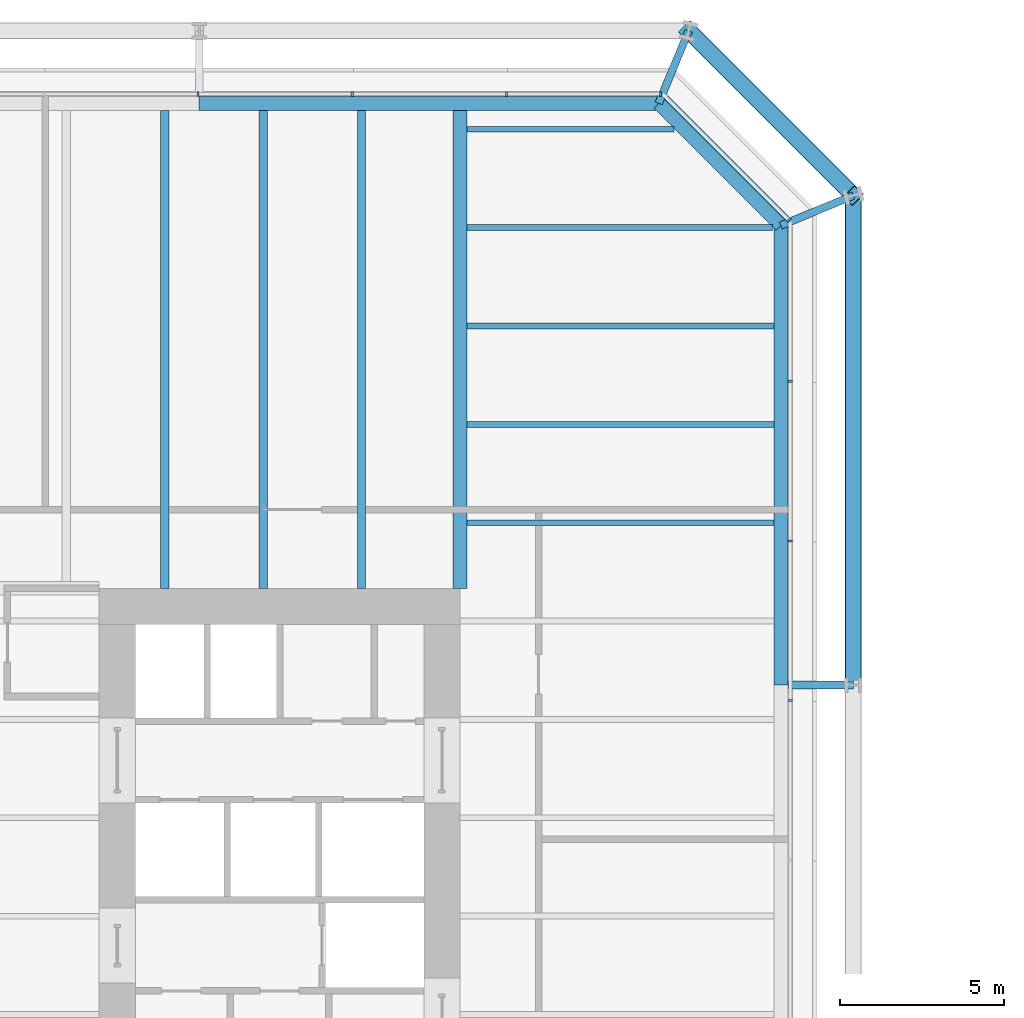
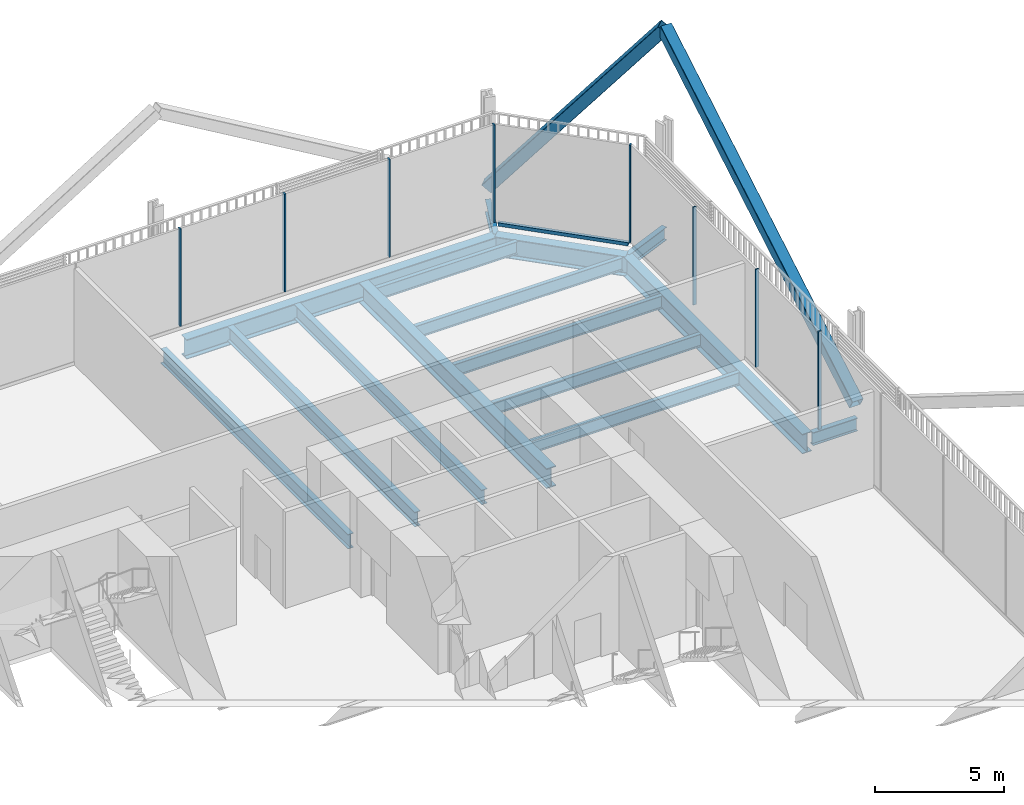
# One storey, part 17 of 26: 15 beams, 11 members, 3 elements without a shape of their own.
"""IFC4 building model written with IfcOpenShell, lengths in metres."""

from ifc_helpers import new_model, si_unit, direction, frame, origin, origin_2d, place, context, subcontext, project, spatial, rectangle, hollow_rectangle, i_section, extrude, material, layer, layer_set, material_profile, profile_set, type_object, element, aggregate, save


model = new_model("IFC4")

# Units and contexts
model_context = context("Model", 3, precision=1e-05, world=origin(), true_north=direction((0.0, 1.0)))
body_context = subcontext(model_context, "Body", "Model", "MODEL_VIEW")
ifc_project = project(units=[si_unit("LENGTHUNIT", "METRE"), si_unit("AREAUNIT", "SQUARE_METRE"), si_unit("VOLUMEUNIT", "CUBIC_METRE"), si_unit("PLANEANGLEUNIT", "RADIAN"), si_unit("MASSUNIT", "GRAM", prefix="KILO")], contexts=[model_context])

# Site, building, storey
site_placement = place(None, origin())
site = spatial("IfcSite", under=ifc_project, at=site_placement, CompositionType="ELEMENT")
building_placement = place(site_placement, origin())
building = spatial("IfcBuilding", under=site, at=building_placement, Name="Millrace Tower", CompositionType="ELEMENT")
storey_placement = place(building_placement, frame((0.0, 0.0, 11.300048828125)))
storey = spatial("IfcBuildingStorey", under=building, at=storey_placement, Name="L03", CompositionType="ELEMENT", Elevation=11.300048828125)

# Curtain wall, members
ifc_material_1 = material(Name="Aluminium and glass", Category="aluminium")
ifc_layer = layer(ifc_material_1, 0.14990234375)
ifc_layer_set = layer_set([ifc_layer], Name="Aluminium and glass")
curtain_wall_type = type_object("IfcCurtainWallType", Name="CW-2 data hall insulated curtain wall", PredefinedType="NOTDEFINED", material=ifc_layer_set)
placement = place(storey_placement, origin())
curtain_wall_1 = element("IfcCurtainWall", 1, at=placement, inside=storey, type_object=curtain_wall_type, Name="Curtain wall AW3-F02 L03 CW2", PredefinedType="NOTDEFINED")
ifc_material_2 = material(Name="Aluminium", Category="aluminium")
ifc_material_profile_1 = material_profile(ifc_material_2, rectangle(XDim=0.06494140625, YDim=0.14990234375, at=origin_2d()))
ifc_profile_set_1 = profile_set([ifc_material_profile_1], Name="Aluminium")
member_type_1 = type_object("IfcMemberType", Name="CW-2 data hall insulated curtain wall mullion", PredefinedType="MULLION", material=ifc_profile_set_1)
member_1_placement = place(storey_placement, frame((25.074951171875, 6.577880859375, 0.159912109375), z_axis=(0.0, 0.0, 1.0), x_axis=(0.0, 1.0, 0.0)))
member_1 = element("IfcMember", 2, at=member_1_placement, type_object=member_type_1, Name="CW2 mullion AW3-F02.9", PredefinedType="MULLION", context=body_context, shape_type="SweptSolid", body=[
    extrude(rectangle(XDim=0.06494140625, YDim=0.14990234375, at=origin_2d()), origin(), (0.0, 0.0, 1.0), 4.64013671875),
])
member_2_placement = place(storey_placement, frame((25.074951171875, 11.446044921875, 0.159912109375), z_axis=(0.0, 0.0, 1.0), x_axis=(0.0, 1.0, 0.0)))
member_2 = element("IfcMember", 3, at=member_2_placement, type_object=member_type_1, Name="CW2 mullion AW3-F02.10", PredefinedType="MULLION", context=body_context, shape_type="SweptSolid", body=[
    extrude(rectangle(XDim=0.06494140625, YDim=0.14990234375, at=origin_2d()), origin(), (0.0, 0.0, 1.0), 4.64013671875),
])
member_3_placement = place(storey_placement, frame((25.074951171875, 16.314208984375, 0.159912109375), z_axis=(0.0, 0.0, 1.0), x_axis=(0.0, 1.0, 0.0)))
member_3 = element("IfcMember", 4, at=member_3_placement, type_object=member_type_1, Name="CW2 mullion AW3-F02.11", PredefinedType="MULLION", context=body_context, shape_type="SweptSolid", body=[
    extrude(rectangle(XDim=0.06494140625, YDim=0.14990234375, at=origin_2d()), origin(), (0.0, 0.0, 1.0), 4.64013671875),
])
aggregate(curtain_wall_1, [member_1, member_2, member_3])

# Curtain wall, member
curtain_wall_2 = element("IfcCurtainWall", 5, at=placement, inside=storey, type_object=curtain_wall_type, Name="Curtain wall AW3-F03 L03", PredefinedType="NOTDEFINED")
member_4_placement = place(storey_placement, frame((25.030029296875, 21.22607421875, 0.159912109375), z_axis=(0.0, 0.0, 1.0), x_axis=(-0.707106781187, 0.707106781187, 0.0)))
member_4 = element("IfcMember", 6, at=member_4_placement, type_object=member_type_1, Name="CW2 mullion AW3-F03.1", PredefinedType="MULLION", context=body_context, shape_type="SweptSolid", body=[
    extrude(rectangle(XDim=0.06494140625, YDim=0.14990234375, at=origin_2d()), origin(), (0.0, 0.0, 1.0), 4.64013671875),
])

# Curtain wall, members
curtain_wall_3 = element("IfcCurtainWall", 7, at=placement, inside=storey, type_object=curtain_wall_type, Name="Curtain wall AW3-F04 L03", PredefinedType="NOTDEFINED")
member_5_placement = place(storey_placement, frame((21.117431640625, 25.074951171875, 0.159912109375), z_axis=(0.0, 0.0, 1.0), x_axis=(-1.0, 0.0, 0.0)))
member_5 = element("IfcMember", 8, at=member_5_placement, type_object=member_type_1, Name="CW2 mullion AW3-F04.1", PredefinedType="MULLION", context=body_context, shape_type="SweptSolid", body=[
    extrude(rectangle(XDim=0.06494140625, YDim=0.14990234375, at=origin_2d()), origin(), (0.0, 0.0, 1.0), 4.64013671875),
])
member_6_placement = place(storey_placement, frame((16.41748046875, 25.074951171875, 0.159912109375), z_axis=(0.0, 0.0, 1.0), x_axis=(-1.0, 0.0, 0.0)))
member_6 = element("IfcMember", 9, at=member_6_placement, type_object=member_type_1, Name="CW2 mullion AW3-F04.2", PredefinedType="MULLION", context=body_context, shape_type="SweptSolid", body=[
    extrude(rectangle(XDim=0.06494140625, YDim=0.14990234375, at=origin_2d()), origin(), (0.0, 0.0, 1.0), 4.64013671875),
])
member_7_placement = place(storey_placement, frame((11.717529296875, 25.074951171875, 0.159912109375), z_axis=(0.0, 0.0, 1.0), x_axis=(-1.0, 0.0, 0.0)))
member_7 = element("IfcMember", 10, at=member_7_placement, type_object=member_type_1, Name="CW2 mullion AW3-F04.3", PredefinedType="MULLION", context=body_context, shape_type="SweptSolid", body=[
    extrude(rectangle(XDim=0.06494140625, YDim=0.14990234375, at=origin_2d()), origin(), (0.0, 0.0, 1.0), 4.64013671875),
])
member_8_placement = place(storey_placement, frame((7.017578125, 25.074951171875, 0.159912109375), z_axis=(0.0, 0.0, 1.0), x_axis=(-1.0, 0.0, 0.0)))
member_8 = element("IfcMember", 11, at=member_8_placement, type_object=member_type_1, Name="CW2 mullion AW3-F04.4", PredefinedType="MULLION", context=body_context, shape_type="SweptSolid", body=[
    extrude(rectangle(XDim=0.06494140625, YDim=0.14990234375, at=origin_2d()), origin(), (0.0, 0.0, 1.0), 4.64013671875),
])
aggregate(curtain_wall_3, [member_5, member_6, member_7, member_8])

# Member
ifc_material_3 = material(Name="Aluminium", Category="aluminium")
ifc_material_profile_2 = material_profile(ifc_material_3, rectangle(XDim=0.14990234375, YDim=0.159912109375, at=origin_2d()))
ifc_profile_set_2 = profile_set([ifc_material_profile_2], Name="Aluminium")
member_type_2 = type_object("IfcMemberType", Name="CW-2 data hall insulated curtain wall transom", PredefinedType="USERDEFINED", material=ifc_profile_set_2)
member_9_placement = place(storey_placement, frame((24.982421875, 21.273681640625, 0.079833984375), z_axis=(-0.707106781187, 0.707106781187, 0.0), x_axis=(-0.707106781187, -0.707106781187, 0.0)))
member_9 = element("IfcMember", 12, at=member_9_placement, type_object=member_type_2, Name="CW2 transom AW3-F03.1", ObjectType="TRANSOM", PredefinedType="USERDEFINED", context=body_context, shape_type="SweptSolid", body=[
    extrude(rectangle(XDim=0.14990234375, YDim=0.159912109375, at=origin_2d()), origin(), (0.0, 0.0, 1.0), 5.244873046875),
])

aggregate(curtain_wall_2, [member_4, member_9])

# Members
ifc_material_4 = material(Name="Steel ASTM A500 Grade C", Category="steel")
ifc_material_profile_3 = material_profile(ifc_material_4, hollow_rectangle(XDim=0.508056640625, YDim=0.508056640625, WallThickness=0.022216796875, InnerFilletRadius=0.01123046875, OuterFilletRadius=0.033447265625, at=origin_2d()))
ifc_profile_set_3 = profile_set([ifc_material_profile_3], Name="Steel ASTM A500 Grade C")
member_type_3 = type_object("IfcMemberType", Name="Exoskeleton brace HSS20x20x7/8", PredefinedType="BRACE", material=ifc_profile_set_3)
member_10_placement = place(storey_placement, frame((27.0, 7.050048828125, 0.39990234375), z_axis=(0.0, 0.861464835883, 0.507817227491), x_axis=(-1.0, 0.0, 0.0)))
element("IfcMember", 13, at=member_10_placement, inside=storey, type_object=member_type_3, Name="BRC-A-L03-08", PredefinedType="BRACE", context=body_context, shape_type="SweptSolid", body=[
    extrude(hollow_rectangle(XDim=0.508056640625, YDim=0.508056640625, WallThickness=0.022216796875, InnerFilletRadius=0.01123046875, OuterFilletRadius=0.033447265625, at=origin_2d()), origin(), (0.0, 0.0, 1.0), 17.3291015625),
])
member_11_placement = place(storey_placement, frame((21.978515625, 27.0, 0.39990234375), z_axis=(0.444063713793, -0.444063713793, 0.77821259061), x_axis=(0.707106781187, 0.707106781187, 0.0)))
element("IfcMember", 14, at=member_11_placement, inside=storey, type_object=member_type_3, Name="BRC-A-L03-09", PredefinedType="BRACE", context=body_context, shape_type="SweptSolid", body=[
    extrude(hollow_rectangle(XDim=0.508056640625, YDim=0.508056640625, WallThickness=0.022216796875, InnerFilletRadius=0.01123046875, OuterFilletRadius=0.033447265625, at=origin_2d()), origin(), (0.0, 0.0, 1.0), 11.30810546875),
])

# Beams
ifc_material_5 = material(Name="Steel ASTM A992 Grade 50", Category="steel")
ifc_material_profile_4 = material_profile(ifc_material_5, i_section(OverallWidth=0.177978515625, OverallDepth=0.599365234375, WebThickness=0.010009765625, FlangeThickness=0.012939453125, FilletRadius=0.012939453125, at=origin_2d()))
ifc_profile_set_4 = profile_set([ifc_material_profile_4], Name="Steel ASTM A992 Grade 50")
beam_type_1 = type_object("IfcBeamType", Name="Floor beam W24x55", PredefinedType="JOIST", material=ifc_profile_set_4)
beam_1_placement = place(storey_placement, frame((15.212158203125, 24.0, -0.524658203125), z_axis=(1.0, 0.0, 0.0), x_axis=(0.0, 1.0, 0.0)))
element("IfcBeam", 15, at=beam_1_placement, inside=storey, type_object=beam_type_1, Name="BM-A-L03-S1-S047", PredefinedType="JOIST", context=body_context, shape_type="SweptSolid", body=[
    extrude(i_section(OverallWidth=0.177978515625, OverallDepth=0.599365234375, WebThickness=0.010009765625, FlangeThickness=0.012939453125, FilletRadius=0.012939453125, at=origin_2d()), origin(), (0.0, 0.0, 1.0), 6.317626953125),
])
ifc_material_6 = material(Name="Steel ASTM A992 Grade 50", Category="steel")
ifc_material_profile_5 = material_profile(ifc_material_6, i_section(OverallWidth=0.1787109375, OverallDepth=0.60205078125, WebThickness=0.010986328125, FlangeThickness=0.014892578125, FilletRadius=0.0126953125, at=origin_2d()))
ifc_profile_set_5 = profile_set([ifc_material_profile_5], Name="Steel ASTM A992 Grade 50")
beam_type_2 = type_object("IfcBeamType", Name="Floor beam W24x62", PredefinedType="JOIST", material=ifc_profile_set_5)
for number, where, z_axis, x_axis, name in (
    (16, (15.212158203125, 12.0, -0.526123046875), (1.0, 0.0, 0.0), (0.0, 1.0, 0.0), "BM-A-L03-S1-S039"),
    (17, (15.212158203125, 15.0, -0.526123046875), (1.0, 0.0, 0.0), (0.0, 1.0, 0.0), "BM-A-L03-S1-S041"),
    (18, (15.212158203125, 18.0, -0.526123046875), (1.0, 0.0, 0.0), (0.0, 1.0, 0.0), "BM-A-L03-S1-S043"),
):
    element("IfcBeam", number, at=place(storey_placement, frame(where, z_axis=z_axis, x_axis=x_axis)), inside=storey, type_object=beam_type_2, Name=name, PredefinedType="JOIST", context=body_context, shape_type="SweptSolid", body=[
        extrude(i_section(OverallWidth=0.1787109375, OverallDepth=0.60205078125, WebThickness=0.010986328125, FlangeThickness=0.014892578125, FilletRadius=0.0126953125, at=origin_2d()), origin(), (0.0, 0.0, 1.0), 9.3662109375),
    ])
beam_2_placement = place(storey_placement, frame((15.212158203125, 21.0, -0.526123046875), z_axis=(1.0, 0.0, 0.0), x_axis=(0.0, 1.0, 0.0)))
element("IfcBeam", 19, at=beam_2_placement, inside=storey, type_object=beam_type_2, Name="BM-A-L03-S1-S045", PredefinedType="JOIST", context=body_context, shape_type="SweptSolid", body=[
    extrude(i_section(OverallWidth=0.1787109375, OverallDepth=0.60205078125, WebThickness=0.010986328125, FlangeThickness=0.014892578125, FilletRadius=0.0126953125, at=origin_2d()), origin(), (0.0, 0.0, 1.0), 9.317626953125),
])
ifc_material_7 = material(Name="Steel ASTM A992 Grade 50", Category="steel")
ifc_material_profile_6 = material_profile(ifc_material_7, i_section(OverallWidth=0.256591796875, OverallDepth=0.693359375, WebThickness=0.014404296875, FlangeThickness=0.023681640625, FilletRadius=0.01513671875, at=origin_2d()))
ifc_profile_set_6 = profile_set([ifc_material_profile_6], Name="Steel ASTM A992 Grade 50")
beam_type_3 = type_object("IfcBeamType", Name="Floor beam W27x114", PredefinedType="JOIST", material=ifc_profile_set_6)
for number, where, z_axis, x_axis, name in (
    (20, (6.0, 10.0, -0.57177734375), (0.0, 1.0, 0.0), (-1.0, 0.0, 0.0), "BM-A-L03-S1-S060"),
    (21, (9.0, 10.0, -0.57177734375), (0.0, 1.0, 0.0), (-1.0, 0.0, 0.0), "BM-A-L03-S1-S062"),
    (22, (12.0, 10.0, -0.57177734375), (0.0, 1.0, 0.0), (-1.0, 0.0, 0.0), "BM-A-L03-S1-S064"),
):
    element("IfcBeam", number, at=place(storey_placement, frame(where, z_axis=z_axis, x_axis=x_axis)), inside=storey, type_object=beam_type_3, Name=name, PredefinedType="JOIST", context=body_context, shape_type="SweptSolid", body=[
        extrude(i_section(OverallWidth=0.256591796875, OverallDepth=0.693359375, WebThickness=0.014404296875, FlangeThickness=0.023681640625, FilletRadius=0.01513671875, at=origin_2d()), origin(), (0.0, 0.0, 1.0), 14.578369140625),
    ])
ifc_material_8 = material(Name="Steel ASTM A992 Grade 50", Category="steel")
ifc_material_profile_7 = material_profile(ifc_material_8, i_section(OverallWidth=0.424072265625, OverallDepth=0.947509765625, WebThickness=0.02392578125, FlangeThickness=0.042724609375, FilletRadius=0.024169921875, at=origin_2d()))
ifc_profile_set_7 = profile_set([ifc_material_profile_7], Name="Steel ASTM A992 Grade 50")
beam_type_4 = type_object("IfcBeamType", Name="Girder medium span W36x302", PredefinedType="BEAM", material=ifc_profile_set_7)
beam_3_placement = place(storey_placement, frame((15.0, 10.0, -0.69873046875), z_axis=(0.0, 1.0, 0.0), x_axis=(-1.0, 0.0, 0.0)))
element("IfcBeam", 23, at=beam_3_placement, inside=storey, type_object=beam_type_4, Name="BM-A-L03-S1-G068", PredefinedType="BEAM", context=body_context, shape_type="SweptSolid", body=[
    extrude(i_section(OverallWidth=0.424072265625, OverallDepth=0.947509765625, WebThickness=0.02392578125, FlangeThickness=0.042724609375, FilletRadius=0.024169921875, at=origin_2d()), origin(), (0.0, 0.0, 1.0), 14.578369140625),
])
ifc_material_9 = material(Name="Steel ASTM A992 Grade 50", Category="steel")
ifc_material_profile_8 = material_profile(ifc_material_9, i_section(OverallWidth=0.23046875, OverallDepth=0.6171875, WebThickness=0.01318359375, FlangeThickness=0.022216796875, FilletRadius=0.012939453125, at=origin_2d()))
ifc_profile_set_8 = profile_set([ifc_material_profile_8], Name="Steel ASTM A992 Grade 50")
beam_type_5 = type_object("IfcBeamType", Name="Link beam W24x94", PredefinedType="BEAM", material=ifc_profile_set_8)
for number, where, z_axis, x_axis, name in (
    (24, (21.062744140625, 24.7890625, -0.53369140625), (0.382673155247, 0.923883789366, 0.0), (-0.923883789366, 0.382673155247, 0.0), "LNK-A-L03-S1-09"),
    (25, (24.7890625, 21.062744140625, -0.53369140625), (0.923883789366, 0.382673155247, 0.0), (-0.382673155247, 0.923883789366, 0.0), "LNK-A-L03-S1-10"),
):
    element("IfcBeam", number, at=place(storey_placement, frame(where, z_axis=z_axis, x_axis=x_axis)), inside=storey, type_object=beam_type_5, Name=name, PredefinedType="BEAM", context=body_context, shape_type="SweptSolid", body=[
        extrude(i_section(OverallWidth=0.23046875, OverallDepth=0.6171875, WebThickness=0.01318359375, FlangeThickness=0.022216796875, FilletRadius=0.012939453125, at=origin_2d()), origin(), (0.0, 0.0, 1.0), 2.39306640625),
    ])
beam_4_placement = place(storey_placement, frame((25.0, 7.050048828125, -0.53369140625), z_axis=(1.0, 0.0, 0.0), x_axis=(0.0, 1.0, 0.0)))
element("IfcBeam", 26, at=beam_4_placement, inside=storey, type_object=beam_type_5, Name="LNK-A-L03-S1-11", PredefinedType="BEAM", context=body_context, shape_type="SweptSolid", body=[
    extrude(i_section(OverallWidth=0.23046875, OverallDepth=0.6171875, WebThickness=0.01318359375, FlangeThickness=0.022216796875, FilletRadius=0.012939453125, at=origin_2d()), origin(), (0.0, 0.0, 1.0), 2.0),
])
ifc_material_10 = material(Name="Steel ASTM A992 Grade 50", Category="steel")
ifc_material_profile_9 = material_profile(ifc_material_10, i_section(OverallWidth=0.421630859375, OverallDepth=0.937255859375, WebThickness=0.021240234375, FlangeThickness=0.03662109375, FilletRadius=0.024169921875, at=origin_2d()))
ifc_profile_set_9 = profile_set([ifc_material_profile_9], Name="Steel ASTM A992 Grade 50")
beam_type_6 = type_object("IfcBeamType", Name="Ring beam medium span W36x262", PredefinedType="SPANDREL", material=ifc_profile_set_9)
for number, where, z_axis, x_axis, name in (
    (27, (7.050048828125, 24.7890625, -0.693603515625), (1.0, 0.0, 0.0), (0.0, 1.0, 0.0), "RNG-A-L03-S1-08"),
    (28, (24.7890625, 21.062744140625, -0.693603515625), (0.0, -1.0, 0.0), (1.0, 0.0, 0.0), "RNG-A-L03-S1-10"),
):
    element("IfcBeam", number, at=place(storey_placement, frame(where, z_axis=z_axis, x_axis=x_axis)), inside=storey, type_object=beam_type_6, Name=name, PredefinedType="SPANDREL", context=body_context, shape_type="SweptSolid", body=[
        extrude(i_section(OverallWidth=0.421630859375, OverallDepth=0.937255859375, WebThickness=0.021240234375, FlangeThickness=0.03662109375, FilletRadius=0.024169921875, at=origin_2d()), origin(), (0.0, 0.0, 1.0), 14.0126953125),
    ])
ifc_material_11 = material(Name="Steel ASTM A992 Grade 50", Category="steel")
ifc_material_profile_10 = material_profile(ifc_material_11, i_section(OverallWidth=0.421630859375, OverallDepth=0.937255859375, WebThickness=0.021240234375, FlangeThickness=0.03662109375, FilletRadius=0.024169921875, at=origin_2d()))
ifc_profile_set_10 = profile_set([ifc_material_profile_10], Name="Steel ASTM A992 Grade 50")
beam_type_7 = type_object("IfcBeamType", Name="Ring beam short span W36x262", PredefinedType="SPANDREL", material=ifc_profile_set_10)
beam_5_placement = place(storey_placement, frame((21.062744140625, 24.7890625, -0.693603515625), z_axis=(0.707106781187, -0.707106781187, 0.0), x_axis=(0.707106781187, 0.707106781187, 0.0)))
element("IfcBeam", 29, at=beam_5_placement, inside=storey, type_object=beam_type_7, Name="RNG-A-L03-S1-09", PredefinedType="SPANDREL", context=body_context, shape_type="SweptSolid", body=[
    extrude(i_section(OverallWidth=0.421630859375, OverallDepth=0.937255859375, WebThickness=0.021240234375, FlangeThickness=0.03662109375, FilletRadius=0.024169921875, at=origin_2d()), origin(), (0.0, 0.0, 1.0), 5.269775390625),
])

save(model, "model.ifc")
